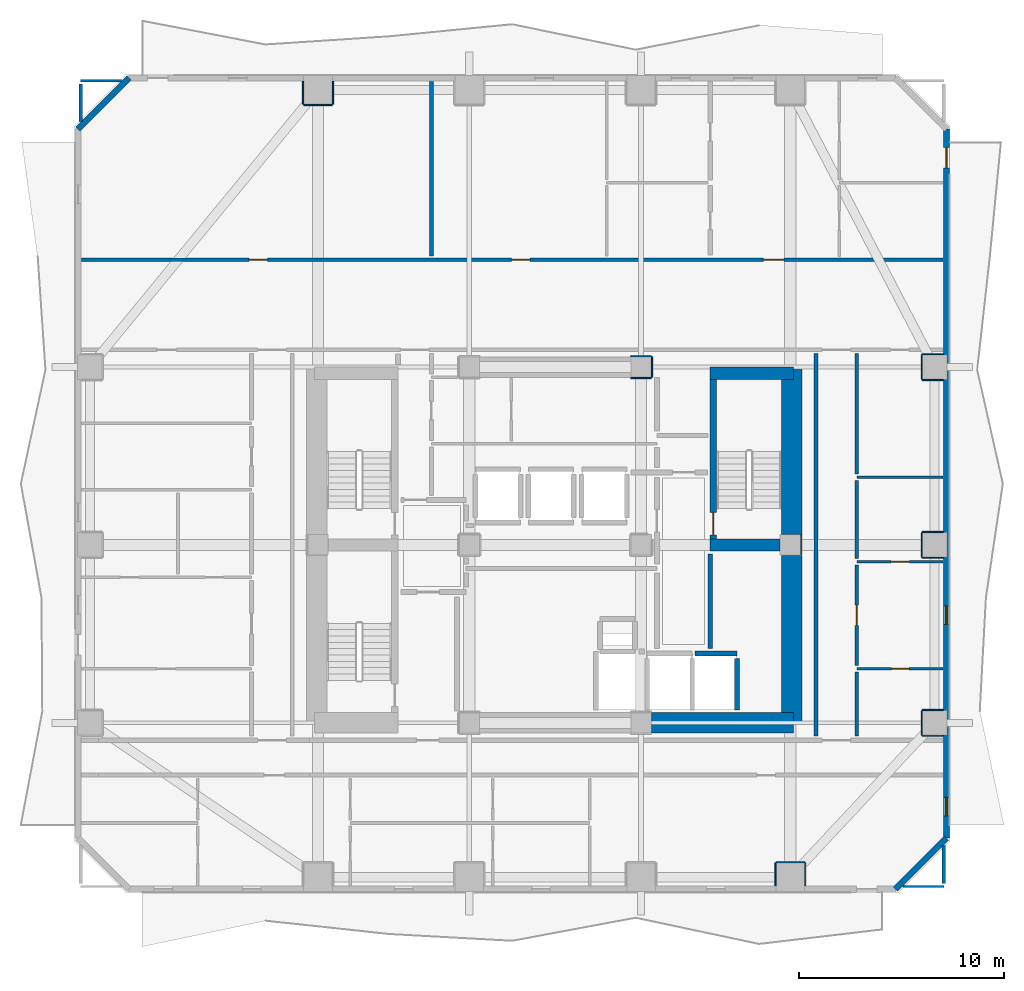
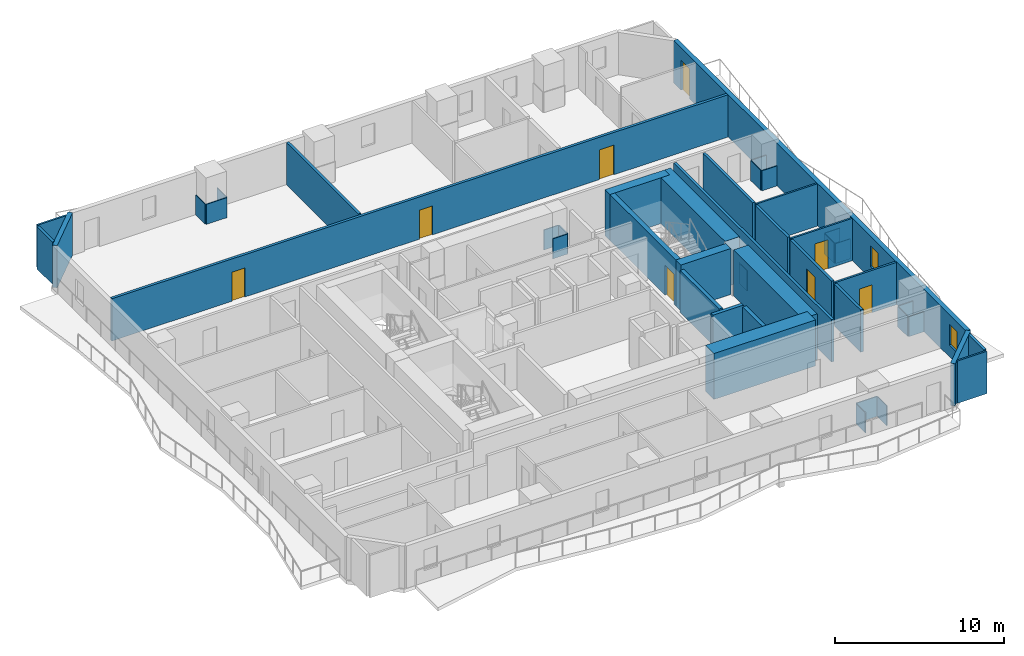
# One storey, part 5 of 10: 45 walls, 8 doors, 2 windows, 10 openings.
"""IFC4 building model written with IfcOpenShell, lengths in metres."""

from ifc_helpers import new_model, si_unit, direction, frame, frame_2d, origin, place, context, subcontext, project, spatial, rectangle, extrude, material, layer, layer_set, type_object, element, fill, save


model = new_model("IFC4")

# Units and contexts
model_context = context("Model", 3, precision=1e-05, world=origin(), true_north=direction((0.0, 1.0)))
body_context = subcontext(model_context, "Body", "Model", "MODEL_VIEW")
ifc_project = project(units=[si_unit("LENGTHUNIT", "METRE"), si_unit("AREAUNIT", "SQUARE_METRE"), si_unit("VOLUMEUNIT", "CUBIC_METRE"), si_unit("PLANEANGLEUNIT", "RADIAN"), si_unit("MASSUNIT", "GRAM", prefix="KILO")], contexts=[model_context])

# Site, building, storey
site_placement = place(None, origin())
site = spatial("IfcSite", under=ifc_project, at=site_placement, CompositionType="ELEMENT")
building_placement = place(site_placement, origin())
building = spatial("IfcBuilding", under=site, at=building_placement, Name="Solanera Arch Residences", CompositionType="ELEMENT")
storey_placement = place(building_placement, frame((0.0, 0.0, 99.43994140625)))
storey = spatial("IfcBuildingStorey", under=building, at=storey_placement, Name="L28", CompositionType="ELEMENT", Elevation=99.43994140625)

# Walls
ifc_material_1 = material(Name="Fire-Rated Gypsum Stud Partition", Category="gypsum")
ifc_layer_1 = layer(ifc_material_1, 0.06005859375)
ifc_layer_set_1 = layer_set([ifc_layer_1], Name="Fire-Rated Gypsum Stud Partition")
wall_type_1 = type_object("IfcWallType", Name="Column Acoustic Furring Wall 60", PredefinedType="PARTITIONING", material=ifc_layer_set_1)
for number, where, z_axis, x_axis, name in (
    (1, (28.699951171875, 38.867919921875, 0.0), (0.0, 0.0, 1.0), (1.0, 0.0, 0.0), "L28 Column Furring 4S"),
    (2, (28.699951171875, 39.931884765625, 0.0), (0.0, 0.0, 1.0), (1.0, 0.0, 0.0), "L28 Column Furring 4N"),
    (3, (29.73193359375, 38.89990234375, 0.0), (0.0, 0.0, 1.0), (0.0, 1.0, 0.0), "L28 Column Furring 4E"),
):
    element("IfcWall", number, at=place(storey_placement, frame(where, z_axis=z_axis, x_axis=x_axis)), inside=storey, type_object=wall_type_1, Name=name, PredefinedType="PARTITIONING", context=body_context, shape_type="SweptSolid", body=[
        extrude(rectangle(XDim=1.0, YDim=0.06005859375, at=frame_2d((0.5, 0.0))), origin(), (0.0, 0.0, 1.0), 1.449951171875),
    ])
wall_1_placement = place(storey_placement, frame((37.031982421875, 30.2099609375, 0.0), z_axis=(0.0, 0.0, 1.0), x_axis=(0.0, 1.0, 0.0)))
element("IfcWall", 4, at=wall_1_placement, inside=storey, type_object=wall_type_1, Name="L28 Column Furring 6E", PredefinedType="PARTITIONING", context=body_context, shape_type="SweptSolid", body=[
    extrude(rectangle(XDim=0.97998046875, YDim=0.06005859375, at=frame_2d((0.489990234375, 0.0))), origin(), (0.0, 0.0, 1.0), 1.449951171875),
])
wall_2_placement = place(storey_placement, frame((12.699951171875, 52.218017578125, 0.0), z_axis=(0.0, 0.0, 1.0), x_axis=(1.0, 0.0, 0.0)))
element("IfcWall", 5, at=wall_2_placement, inside=storey, type_object=wall_type_1, Name="L28 Column Furring 10S", PredefinedType="PARTITIONING", context=body_context, shape_type="SweptSolid", body=[
    extrude(rectangle(XDim=1.400146484375, YDim=0.06005859375, at=frame_2d((0.7001953125, 0.0))), origin(), (0.0, 0.0, 1.0), 1.449951171875),
])
for number, where, z_axis, x_axis, name in (
    (6, (12.66796875, 52.25, 0.0), (0.0, 0.0, 1.0), (0.0, 1.0, 0.0), "L28 Column Furring 10W"),
    (7, (14.132080078125, 52.25, 0.0), (0.0, 0.0, 1.0), (0.0, 1.0, 0.0), "L28 Column Furring 10E"),
):
    element("IfcWall", number, at=place(storey_placement, frame(where, z_axis=z_axis, x_axis=x_axis)), inside=storey, type_object=wall_type_1, Name=name, PredefinedType="PARTITIONING", context=body_context, shape_type="SweptSolid", body=[
        extrude(rectangle(XDim=1.1201171875, YDim=0.06005859375, at=frame_2d((0.56005859375, 0.0))), origin(), (0.0, 0.0, 1.0), 1.449951171875),
    ])
wall_3_placement = place(storey_placement, frame((35.800048828125, 15.181884765625, 0.0), z_axis=(0.0, 0.0, 1.0), x_axis=(1.0, 0.0, 0.0)))
element("IfcWall", 8, at=wall_3_placement, inside=storey, type_object=wall_type_1, Name="L28 Column Furring 15N", PredefinedType="PARTITIONING", context=body_context, shape_type="SweptSolid", body=[
    extrude(rectangle(XDim=1.39990234375, YDim=0.06005859375, at=frame_2d((0.699951171875, 0.0))), origin(), (0.0, 0.0, 1.0), 1.449951171875),
])
for number, where, z_axis, x_axis, name in (
    (9, (35.76806640625, 14.030029296875, 0.0), (0.0, 0.0, 1.0), (0.0, 1.0, 0.0), "L28 Column Furring 15W"),
    (10, (37.23193359375, 14.030029296875, 0.0), (0.0, 0.0, 1.0), (0.0, 1.0, 0.0), "L28 Column Furring 15E"),
):
    element("IfcWall", number, at=place(storey_placement, frame(where, z_axis=z_axis, x_axis=x_axis)), inside=storey, type_object=wall_type_1, Name=name, PredefinedType="PARTITIONING", context=body_context, shape_type="SweptSolid", body=[
        extrude(rectangle(XDim=1.119873046875, YDim=0.06005859375, at=frame_2d((0.56005859375, 0.0))), origin(), (0.0, 0.0, 1.0), 1.449951171875),
    ])
for number, where, z_axis, x_axis, name in (
    (11, (42.949951171875, 21.367919921875, 0.0), (0.0, 0.0, 1.0), (1.0, 0.0, 0.0), "L28 Column Furring 18S"),
    (12, (42.949951171875, 22.632080078125, 0.0), (0.0, 0.0, 1.0), (1.0, 0.0, 0.0), "L28 Column Furring 18N"),
):
    element("IfcWall", number, at=place(storey_placement, frame(where, z_axis=z_axis, x_axis=x_axis)), inside=storey, type_object=wall_type_1, Name=name, PredefinedType="PARTITIONING", context=body_context, shape_type="SweptSolid", body=[
        extrude(rectangle(XDim=1.02001953125, YDim=0.06005859375, at=frame_2d((0.510009765625, 0.0))), origin(), (0.0, 0.0, 1.0), 1.449951171875),
    ])
wall_4_placement = place(storey_placement, frame((42.91796875, 21.39990234375, 0.0), z_axis=(0.0, 0.0, 1.0), x_axis=(0.0, 1.0, 0.0)))
element("IfcWall", 13, at=wall_4_placement, inside=storey, type_object=wall_type_1, Name="L28 Column Furring 18W", PredefinedType="PARTITIONING", context=body_context, shape_type="SweptSolid", body=[
    extrude(rectangle(XDim=1.2001953125, YDim=0.06005859375, at=frame_2d((0.60009765625, 0.0))), origin(), (0.0, 0.0, 1.0), 1.449951171875),
])
for number, where, z_axis, x_axis, name in (
    (14, (42.949951171875, 30.068115234375, 0.0), (0.0, 0.0, 1.0), (1.0, 0.0, 0.0), "L28 Column Furring 20S"),
    (15, (42.949951171875, 31.33203125, 0.0), (0.0, 0.0, 1.0), (1.0, 0.0, 0.0), "L28 Column Furring 20N"),
):
    element("IfcWall", number, at=place(storey_placement, frame(where, z_axis=z_axis, x_axis=x_axis)), inside=storey, type_object=wall_type_1, Name=name, PredefinedType="PARTITIONING", context=body_context, shape_type="SweptSolid", body=[
        extrude(rectangle(XDim=1.02001953125, YDim=0.06005859375, at=frame_2d((0.510009765625, 0.0))), origin(), (0.0, 0.0, 1.0), 1.449951171875),
    ])
wall_5_placement = place(storey_placement, frame((42.91796875, 30.10009765625, 0.0), z_axis=(0.0, 0.0, 1.0), x_axis=(0.0, 1.0, 0.0)))
element("IfcWall", 16, at=wall_5_placement, inside=storey, type_object=wall_type_1, Name="L28 Column Furring 20W", PredefinedType="PARTITIONING", context=body_context, shape_type="SweptSolid", body=[
    extrude(rectangle(XDim=1.199951171875, YDim=0.06005859375, at=frame_2d((0.60009765625, 0.0))), origin(), (0.0, 0.0, 1.0), 1.449951171875),
])
for number, where, z_axis, x_axis, name in (
    (17, (42.949951171875, 38.76806640625, 0.0), (0.0, 0.0, 1.0), (1.0, 0.0, 0.0), "L28 Column Furring 22S"),
    (18, (42.949951171875, 40.031982421875, 0.0), (0.0, 0.0, 1.0), (1.0, 0.0, 0.0), "L28 Column Furring 22N"),
):
    element("IfcWall", number, at=place(storey_placement, frame(where, z_axis=z_axis, x_axis=x_axis)), inside=storey, type_object=wall_type_1, Name=name, PredefinedType="PARTITIONING", context=body_context, shape_type="SweptSolid", body=[
        extrude(rectangle(XDim=1.02001953125, YDim=0.06005859375, at=frame_2d((0.510009765625, 0.0))), origin(), (0.0, 0.0, 1.0), 1.449951171875),
    ])
wall_6_placement = place(storey_placement, frame((42.91796875, 38.800048828125, 0.0), z_axis=(0.0, 0.0, 1.0), x_axis=(0.0, 1.0, 0.0)))
element("IfcWall", 19, at=wall_6_placement, inside=storey, type_object=wall_type_1, Name="L28 Column Furring 22W", PredefinedType="PARTITIONING", context=body_context, shape_type="SweptSolid", body=[
    extrude(rectangle(XDim=1.199951171875, YDim=0.06005859375, at=frame_2d((0.60009765625, 0.0))), origin(), (0.0, 0.0, 1.0), 1.449951171875),
])
ifc_material_2 = material(Name="Concrete C55/67 (f'c = 60 MPa)", Category="concrete")
ifc_layer_2 = layer(ifc_material_2, 1.0)
ifc_layer_set_2 = layer_set([ifc_layer_2], Name="Concrete C55/67 (f'c = 60 MPa)")
wall_type_2 = type_object("IfcWallType", Name="Core Shear Wall CW-1000", PredefinedType="SHEAR", material=ifc_layer_set_2)
wall_7_placement = place(storey_placement, frame((36.56005859375, 22.0, 0.0), z_axis=(0.0, 0.0, 1.0), x_axis=(0.0, 1.0, 0.0)))
element("IfcWall", 20, at=wall_7_placement, inside=storey, type_object=wall_type_2, Name="L28 East Core South Shear Wall", PredefinedType="SHEAR", context=body_context, shape_type="SweptSolid", body=[
    extrude(rectangle(XDim=8.195068359375, YDim=1.0, at=frame_2d((4.09765625, 0.0))), origin(), (0.0, 0.0, 1.0), 3.320068359375),
])
wall_8_placement = place(storey_placement, frame((36.56005859375, 31.205078125, 0.0), z_axis=(0.0, 0.0, 1.0), x_axis=(0.0, 1.0, 0.0)))
element("IfcWall", 21, at=wall_8_placement, inside=storey, type_object=wall_type_2, Name="L28 East Core North Shear Wall", PredefinedType="SHEAR", context=body_context, shape_type="SweptSolid", body=[
    extrude(rectangle(XDim=8.19482421875, YDim=1.0, at=frame_2d((4.097412109375, 0.0))), origin(), (0.0, 0.0, 1.0), 3.320068359375),
])
wall_9_placement = place(storey_placement, frame((29.705078125, 22.0, 0.0), z_axis=(0.0, 0.0, 1.0), x_axis=(1.0, 0.0, 0.0)))
element("IfcWall", 22, at=wall_9_placement, inside=storey, type_object=wall_type_2, Name="L28 South-East Core Shear Wall", PredefinedType="SHEAR", context=body_context, shape_type="SweptSolid", body=[
    extrude(rectangle(XDim=6.954833984375, YDim=1.0, at=frame_2d((3.4775390625, 0.0))), origin(), (0.0, 0.0, 1.0), 3.320068359375),
])

# Wall, opening, door
ifc_material_3 = material(Name="Concrete C40/50 (f'c = 45 MPa)", Category="concrete")
ifc_layer_3 = layer(ifc_material_3, 0.320068359375)
ifc_layer_set_3 = layer_set([ifc_layer_3], Name="Concrete C40/50 (f'c = 45 MPa)")
wall_type_3 = type_object("IfcWallType", Name="Core Shear Wall CW-320", PredefinedType="SHEAR", material=ifc_layer_set_3)
wall_10_placement = place(storey_placement, frame((32.739990234375, 31.0, 0.0), z_axis=(0.0, 0.0, 1.0), x_axis=(0.0, 1.0, 0.0)))
wall_10 = element("IfcWall", 23, at=wall_10_placement, inside=storey, type_object=wall_type_3, Name="L28 Stair ST-T2 West Shear Wall", PredefinedType="SHEAR", context=body_context, shape_type="SweptSolid", body=[
    extrude(rectangle(XDim=7.800048828125, YDim=0.320068359375, at=frame_2d((3.89990234375, 0.0))), origin(), (0.0, 0.0, 1.0), 3.320068359375),
])
opening_1_placement = place(wall_10_placement, frame((0.18994140625, 0.0, 0.0)))
opening_1 = element("IfcOpeningElement", 24, at=opening_1_placement, cuts=wall_10, Name="Opening DF-01", PredefinedType="OPENING", context=body_context, shape_type="SweptSolid", body=[
    extrude(rectangle(XDim=1.10009765625, YDim=2.14990234375, at=frame_2d((0.550048828125, 1.074951171875))), frame((0.0, 0.169921875, 0.0), z_axis=(0.0, -1.0, 0.0), x_axis=(1.0, 0.0, 0.0)), (0.0, 0.0, 1.0), 0.3401),
])
ifc_material_4 = material(Name="Fire-Rated Architectural Hardwood", Category="wood")
door_type_1 = type_object("IfcDoorType", Name="Stair Exit Fire Door DF-01", OperationType="NOTDEFINED", PredefinedType="DOOR", material=ifc_material_4)
door_1_placement = place(opening_1_placement, origin())
door_1 = element("IfcDoor", 25, at=door_1_placement, inside=storey, type_object=door_type_1, Name="DR-L28-STAIR-ST-T2", OperationType="SINGLE_SWING_LEFT", OverallHeight=2.14990234375, OverallWidth=1.10009765625, PredefinedType="DOOR", context=body_context, shape_type="SweptSolid", body=[
    extrude(rectangle(XDim=1.10009765625, YDim=2.14990234375, at=frame_2d((0.550048828125, 1.074951171875))), frame((0.0, 0.02490234375, 0.0), z_axis=(0.0, -1.0, 0.0), x_axis=(1.0, 0.0, 0.0)), (0.0, 0.0, 1.0), 0.050048828125),
])
fill(opening_1, door_1)

# Walls
ifc_material_5 = material(Name="Concrete C40/50 (f'c = 45 MPa)", Category="concrete")
ifc_layer_4 = layer(ifc_material_5, 0.60009765625)
ifc_layer_set_4 = layer_set([ifc_layer_4], Name="Concrete C40/50 (f'c = 45 MPa)")
wall_type_4 = type_object("IfcWallType", Name="Core Shear Wall CW-600", PredefinedType="SHEAR", material=ifc_layer_set_4)
wall_11_placement = place(storey_placement, frame((32.580078125, 39.10009765625, 0.0), z_axis=(0.0, 0.0, 1.0), x_axis=(1.0, 0.0, 0.0)))
element("IfcWall", 26, at=wall_11_placement, inside=storey, type_object=wall_type_4, Name="L28 North-East Core Shear Wall", PredefinedType="SHEAR", context=body_context, shape_type="SweptSolid", body=[
    extrude(rectangle(XDim=4.079833984375, YDim=0.60009765625, at=frame_2d((2.0400390625, 0.0))), origin(), (0.0, 0.0, 1.0), 3.320068359375),
])
wall_12_placement = place(storey_placement, frame((32.580078125, 30.699951171875, 0.0), z_axis=(0.0, 0.0, 1.0), x_axis=(1.0, 0.0, 0.0)))
element("IfcWall", 27, at=wall_12_placement, inside=storey, type_object=wall_type_4, Name="L28 East Stair Far-Landing Shear Wall", PredefinedType="SHEAR", context=body_context, shape_type="SweptSolid", body=[
    extrude(rectangle(XDim=3.4150390625, YDim=0.60009765625, at=frame_2d((1.70751953125, 0.0))), origin(), (0.0, 0.0, 1.0), 3.320068359375),
])

# Wall, openings, doors
ifc_material_6 = material(Name="Autoclaved Aerated Concrete Blockwork", Category="masonry")
ifc_layer_5 = layer(ifc_material_6, 0.179931640625)
ifc_layer_set_5 = layer_set([ifc_layer_5], Name="Autoclaved Aerated Concrete Blockwork")
wall_type_5 = type_object("IfcWallType", Name="Corridor Fire Partition 180", PredefinedType="PARTITIONING", material=ifc_layer_set_5)
wall_13_placement = place(storey_placement, frame((1.826904296875, 44.64990234375, 0.0), z_axis=(0.0, 0.0, 1.0), x_axis=(1.0, 0.0, 0.0)))
wall_13 = element("IfcWall", 28, at=wall_13_placement, inside=storey, type_object=wall_type_5, Name="L28 Interior Partition H11", PredefinedType="PARTITIONING", context=body_context, shape_type="SweptSolid", body=[
    extrude(rectangle(XDim=42.14599609375, YDim=0.179931640625, at=frame_2d((21.072998046875, 0.0))), origin(), (0.0, 0.0, 1.0), 3.06005859375),
])
opening_2_placement = place(wall_13_placement, frame((8.20703125, 0.0, 0.0)))
opening_2 = element("IfcOpeningElement", 29, at=opening_2_placement, cuts=wall_13, Name="Opening DI-02", PredefinedType="OPENING", context=body_context, shape_type="SweptSolid", body=[
    extrude(rectangle(XDim=0.89990234375, YDim=2.10009765625, at=frame_2d((0.449951171875, 1.050048828125))), frame((0.0, 0.10009765625, 0.0), z_axis=(0.0, -1.0, 0.0), x_axis=(1.0, 0.0, 0.0)), (0.0, 0.0, 1.0), 0.1999),
])
opening_3_placement = place(wall_13_placement, frame((21.04296875, 0.0, 0.0)))
opening_3 = element("IfcOpeningElement", 30, at=opening_3_placement, cuts=wall_13, Name="Opening DI-02", PredefinedType="OPENING", context=body_context, shape_type="SweptSolid", body=[
    extrude(rectangle(XDim=0.89990234375, YDim=2.10009765625, at=frame_2d((0.449951171875, 1.050048828125))), frame((0.0, 0.10009765625, 0.0), z_axis=(0.0, -1.0, 0.0), x_axis=(1.0, 0.0, 0.0)), (0.0, 0.0, 1.0), 0.1999),
])
opening_4_placement = place(wall_13_placement, frame((33.35107421875, 0.0, 0.0)))
opening_4 = element("IfcOpeningElement", 31, at=opening_4_placement, cuts=wall_13, Name="Opening DI-01", PredefinedType="OPENING", context=body_context, shape_type="SweptSolid", body=[
    extrude(rectangle(XDim=1.0, YDim=2.14990234375, at=frame_2d((0.5, 1.074951171875))), frame((0.0, 0.10009765625, 0.0), z_axis=(0.0, -1.0, 0.0), x_axis=(1.0, 0.0, 0.0)), (0.0, 0.0, 1.0), 0.1999),
])
ifc_material_7 = material(Name="Fire-Rated Architectural Hardwood", Category="wood")
door_type_2 = type_object("IfcDoorType", Name="Suite Room Swing Door DI-02", OperationType="NOTDEFINED", PredefinedType="DOOR", material=ifc_material_7)
door_2_placement = place(opening_2_placement, origin())
door_2 = element("IfcDoor", 32, at=door_2_placement, inside=storey, type_object=door_type_2, Name="DR-L28-IN-024", OperationType="SINGLE_SWING_LEFT", OverallHeight=2.10009765625, OverallWidth=0.89990234375, PredefinedType="DOOR", context=body_context, shape_type="SweptSolid", body=[
    extrude(rectangle(XDim=0.89990234375, YDim=2.10009765625, at=frame_2d((0.449951171875, 1.050048828125))), frame((0.0, 0.02490234375, 0.0), z_axis=(0.0, -1.0, 0.0), x_axis=(1.0, 0.0, 0.0)), (0.0, 0.0, 1.0), 0.050048828125),
])
fill(opening_2, door_2)
door_3_placement = place(opening_3_placement, origin())
door_3 = element("IfcDoor", 33, at=door_3_placement, inside=storey, type_object=door_type_2, Name="DR-L28-IN-025", OperationType="SINGLE_SWING_RIGHT", OverallHeight=2.10009765625, OverallWidth=0.89990234375, PredefinedType="DOOR", context=body_context, shape_type="SweptSolid", body=[
    extrude(rectangle(XDim=0.89990234375, YDim=2.10009765625, at=frame_2d((0.449951171875, 1.050048828125))), frame((0.0, 0.02490234375, 0.0), z_axis=(0.0, -1.0, 0.0), x_axis=(1.0, 0.0, 0.0)), (0.0, 0.0, 1.0), 0.050048828125),
])
fill(opening_3, door_3)
ifc_material_8 = material(Name="Fire-Rated Architectural Hardwood", Category="wood")
door_type_3 = type_object("IfcDoorType", Name="Unit Entrance Fire Door DI-01", OperationType="NOTDEFINED", PredefinedType="DOOR", material=ifc_material_8)
door_4_placement = place(opening_4_placement, origin())
door_4 = element("IfcDoor", 34, at=door_4_placement, inside=storey, type_object=door_type_3, Name="DR-L28-IN-026", OperationType="SINGLE_SWING_LEFT", OverallHeight=2.14990234375, OverallWidth=1.0, PredefinedType="DOOR", context=body_context, shape_type="SweptSolid", body=[
    extrude(rectangle(XDim=1.0, YDim=2.14990234375, at=frame_2d((0.5, 1.074951171875))), frame((0.0, 0.02490234375, 0.0), z_axis=(0.0, -1.0, 0.0), x_axis=(1.0, 0.0, 0.0)), (0.0, 0.0, 1.0), 0.050048828125),
])
fill(opening_4, door_4)

# Walls
wall_14_placement = place(storey_placement, frame((1.800048828125, 51.39892578125, 0.0), z_axis=(0.0, 0.0, 1.0), x_axis=(0.0, 1.0, 0.0)))
element("IfcWall", 35, at=wall_14_placement, inside=storey, type_object=wall_type_5, Name="L28 Interior Partition V7 2", PredefinedType="PARTITIONING", context=body_context, shape_type="SweptSolid", body=[
    extrude(rectangle(XDim=1.843017578125, YDim=0.179931640625, at=frame_2d((0.92138671875, 0.0))), origin(), (0.0, 0.0, 1.0), 3.06005859375),
])
wall_15_placement = place(storey_placement, frame((18.949951171875, 44.837890625, 0.0), z_axis=(0.0, 0.0, 1.0), x_axis=(0.0, 1.0, 0.0)))
element("IfcWall", 36, at=wall_15_placement, inside=storey, type_object=wall_type_5, Name="L28 Interior Partition V11", PredefinedType="PARTITIONING", context=body_context, shape_type="SweptSolid", body=[
    extrude(rectangle(XDim=8.53515625, YDim=0.179931640625, at=frame_2d((4.267578125, 0.0))), origin(), (0.0, 0.0, 1.0), 3.06005859375),
])
wall_16_placement = place(storey_placement, frame((37.75, 21.367919921875, 0.0), z_axis=(0.0, 0.0, 1.0), x_axis=(0.0, 1.0, 0.0)))
element("IfcWall", 37, at=wall_16_placement, inside=storey, type_object=wall_type_5, Name="L28 Interior Partition V13", PredefinedType="PARTITIONING", context=body_context, shape_type="SweptSolid", body=[
    extrude(rectangle(XDim=18.694091796875, YDim=0.179931640625, at=frame_2d((9.34716796875, 0.0))), origin(), (0.0, 0.0, 1.0), 3.06005859375),
])
wall_17_placement = place(storey_placement, frame((39.75, 21.367919921875, 0.0), z_axis=(0.0, 0.0, 1.0), x_axis=(0.0, 1.0, 0.0)))
element("IfcWall", 38, at=wall_17_placement, inside=storey, type_object=wall_type_5, Name="L28 Interior Partition V14 1", PredefinedType="PARTITIONING", context=body_context, shape_type="SweptSolid", body=[
    extrude(rectangle(XDim=3.109130859375, YDim=0.179931640625, at=frame_2d((1.5546875, 0.0))), origin(), (0.0, 0.0, 1.0), 3.06005859375),
])

# Wall, opening, door
wall_18_placement = place(storey_placement, frame((39.75, 24.81298828125, 0.0), z_axis=(0.0, 0.0, 1.0), x_axis=(0.0, 1.0, 0.0)))
wall_18 = element("IfcWall", 39, at=wall_18_placement, inside=storey, type_object=wall_type_5, Name="L28 Interior Partition V14 2", PredefinedType="PARTITIONING", context=body_context, shape_type="SweptSolid", body=[
    extrude(rectangle(XDim=4.908935546875, YDim=0.179931640625, at=frame_2d((2.45458984375, 0.0))), origin(), (0.0, 0.0, 1.0), 3.06005859375),
])
opening_5_placement = place(wall_18_placement, frame((1.949951171875, 0.0, 0.0)))
opening_5 = element("IfcOpeningElement", 40, at=opening_5_placement, cuts=wall_18, Name="Opening DI-01", PredefinedType="OPENING", context=body_context, shape_type="SweptSolid", body=[
    extrude(rectangle(XDim=1.0, YDim=2.14990234375, at=frame_2d((0.5, 1.074951171875))), frame((0.0, 0.10009765625, 0.0), z_axis=(0.0, -1.0, 0.0), x_axis=(1.0, 0.0, 0.0)), (0.0, 0.0, 1.0), 0.1999),
])
door_5_placement = place(opening_5_placement, origin())
door_5 = element("IfcDoor", 41, at=door_5_placement, inside=storey, type_object=door_type_3, Name="DR-L28-IN-037", OperationType="SINGLE_SWING_RIGHT", OverallHeight=2.14990234375, OverallWidth=1.0, PredefinedType="DOOR", context=body_context, shape_type="SweptSolid", body=[
    extrude(rectangle(XDim=1.0, YDim=2.14990234375, at=frame_2d((0.5, 1.074951171875))), frame((0.0, 0.02490234375, 0.0), z_axis=(0.0, -1.0, 0.0), x_axis=(1.0, 0.0, 0.0)), (0.0, 0.0, 1.0), 0.050048828125),
])
fill(opening_5, door_5)

# Walls
wall_19_placement = place(storey_placement, frame((39.75, 30.0380859375, 0.0), z_axis=(0.0, 0.0, 1.0), x_axis=(0.0, 1.0, 0.0)))
element("IfcWall", 42, at=wall_19_placement, inside=storey, type_object=wall_type_5, Name="L28 Interior Partition V14 3", PredefinedType="PARTITIONING", context=body_context, shape_type="SweptSolid", body=[
    extrude(rectangle(XDim=3.803955078125, YDim=0.179931640625, at=frame_2d((1.90185546875, 0.0))), origin(), (0.0, 0.0, 1.0), 3.06005859375),
])
wall_20_placement = place(storey_placement, frame((39.75, 34.157958984375, 0.0), z_axis=(0.0, 0.0, 1.0), x_axis=(0.0, 1.0, 0.0)))
element("IfcWall", 43, at=wall_20_placement, inside=storey, type_object=wall_type_5, Name="L28 Interior Partition V14 4", PredefinedType="PARTITIONING", context=body_context, shape_type="SweptSolid", body=[
    extrude(rectangle(XDim=5.904052734375, YDim=0.179931640625, at=frame_2d((2.9521484375, 0.0))), origin(), (0.0, 0.0, 1.0), 3.06005859375),
])
wall_21_placement = place(storey_placement, frame((44.0, 14.157958984375, 0.0), z_axis=(0.0, 0.0, 1.0), x_axis=(0.0, 1.0, 0.0)))
element("IfcWall", 44, at=wall_21_placement, inside=storey, type_object=wall_type_5, Name="L28 Interior Partition V15 1", PredefinedType="PARTITIONING", context=body_context, shape_type="SweptSolid", body=[
    extrude(rectangle(XDim=1.843017578125, YDim=0.179931640625, at=frame_2d((0.92138671875, 0.0))), origin(), (0.0, 0.0, 1.0), 3.06005859375),
])
ifc_material_9 = material(Name="Precast Concrete C35/45", Category="concrete")
ifc_layer_6 = layer(ifc_material_9, 0.300048828125)
ifc_layer_set_6 = layer_set([ifc_layer_6], Name="Precast Concrete C35/45")
wall_type_6 = type_object("IfcWallType", Name="Exterior Wall Precast Masonry-Frame 300", PredefinedType="STANDARD", material=ifc_layer_set_6)
wall_22_placement = place(storey_placement, frame((1.6650390625, 51.034912109375, 0.0), z_axis=(0.0, 0.0, 1.0), x_axis=(0.707106781187, 0.707106781187, 0.0)))
element("IfcWall", 45, at=wall_22_placement, inside=storey, type_object=wall_type_6, Name="L28 Tower Exterior Precast Masonry-Frame Wall CH1", PredefinedType="STANDARD", context=body_context, shape_type="SweptSolid", body=[
    extrude(rectangle(XDim=3.53564453125, YDim=0.300048828125, at=frame_2d((1.767822265625, 0.0))), origin(), (0.0, 0.0, 1.0), 3.06005859375),
])

# Wall, openings, door, windows
wall_23_placement = place(storey_placement, frame((44.135009765625, 51.034912109375, 0.0), z_axis=(0.0, 0.0, 1.0), x_axis=(0.0, -1.0, 0.0)))
wall_23 = element("IfcWall", 46, at=wall_23_placement, inside=storey, type_object=wall_type_6, Name="L28 Tower Exterior Precast Masonry-Frame Wall E", PredefinedType="STANDARD", context=body_context, shape_type="SweptSolid", body=[
    extrude(rectangle(XDim=34.669921875, YDim=0.300048828125, at=frame_2d((17.3349609375, 0.0))), origin(), (0.0, 0.0, 1.0), 3.06005859375),
])
opening_6_placement = place(wall_23_placement, frame((0.90087890625, 0.0, 0.0)))
opening_6 = element("IfcOpeningElement", 47, at=opening_6_placement, cuts=wall_23, Name="Opening DB-01", PredefinedType="OPENING", context=body_context, shape_type="SweptSolid", body=[
    extrude(rectangle(XDim=1.0, YDim=2.14990234375, at=frame_2d((0.5, 1.074951171875))), frame((0.0, 0.159912109375, 0.0), z_axis=(0.0, -1.0, 0.0), x_axis=(1.0, 0.0, 0.0)), (0.0, 0.0, 1.0), 0.32),
])
opening_7_placement = place(wall_23_placement, frame((32.681884765625, 0.0, 0.85009765625)))
opening_7 = element("IfcOpeningElement", 48, at=opening_7_placement, cuts=wall_23, Name="Opening W-06", PredefinedType="OPENING", context=body_context, shape_type="SweptSolid", body=[
    extrude(rectangle(XDim=0.89990234375, YDim=1.5, at=frame_2d((0.449951171875, 0.75))), frame((0.0, 0.159912109375, 0.0), z_axis=(0.0, -1.0, 0.0), x_axis=(1.0, 0.0, 0.0)), (0.0, 0.0, 1.0), 0.32),
])
opening_8_placement = place(wall_23_placement, frame((23.322998046875, 0.0, 0.85009765625)))
opening_8 = element("IfcOpeningElement", 49, at=opening_8_placement, cuts=wall_23, Name="Opening W-06", PredefinedType="OPENING", context=body_context, shape_type="SweptSolid", body=[
    extrude(rectangle(XDim=0.89990234375, YDim=1.5, at=frame_2d((0.449951171875, 0.75))), frame((0.0, 0.159912109375, 0.0), z_axis=(0.0, -1.0, 0.0), x_axis=(1.0, 0.0, 0.0)), (0.0, 0.0, 1.0), 0.32),
])
ifc_material_10 = material(Name="Anodised Aluminium Alloy 6063-T6", Category="aluminium")
door_type_4 = type_object("IfcDoorType", Name="Glazed Balcony Swing Door DB-01", OperationType="NOTDEFINED", PredefinedType="DOOR", material=ifc_material_10)
door_6_placement = place(opening_6_placement, origin())
door_6 = element("IfcDoor", 50, at=door_6_placement, inside=storey, type_object=door_type_4, Name="DR-L28-OUT-03", OperationType="SINGLE_SWING_RIGHT", OverallHeight=2.14990234375, OverallWidth=1.0, PredefinedType="DOOR", context=body_context, shape_type="SweptSolid", body=[
    extrude(rectangle(XDim=1.0, YDim=2.14990234375, at=frame_2d((0.5, 1.074951171875))), frame((0.0, 0.02490234375, 0.0), z_axis=(0.0, -1.0, 0.0), x_axis=(1.0, 0.0, 0.0)), (0.0, 0.0, 1.0), 0.050048828125),
])
fill(opening_6, door_6)
ifc_material_11 = material(Name="Double Glazed Low-E Laminated Glass", Category="glass")
window_type = type_object("IfcWindowType", Name="Punched Window W-06", PartitioningType="SINGLE_PANEL", PredefinedType="WINDOW", material=ifc_material_11)
window_1_placement = place(opening_7_placement, origin())
window_1 = element("IfcWindow", 51, at=window_1_placement, inside=storey, type_object=window_type, Name="L28 AMN-LNG Punched Window", OverallHeight=1.5, OverallWidth=0.89990234375, PartitioningType="SINGLE_PANEL", PredefinedType="WINDOW", context=body_context, shape_type="SweptSolid", body=[
    extrude(rectangle(XDim=0.89990234375, YDim=1.5, at=frame_2d((0.449951171875, 0.75))), frame((0.0, 0.030029296875, 0.0), z_axis=(0.0, -1.0, 0.0), x_axis=(1.0, 0.0, 0.0)), (0.0, 0.0, 1.0), 0.06005859375),
])
fill(opening_7, window_1)
window_2_placement = place(opening_8_placement, origin())
window_2 = element("IfcWindow", 52, at=window_2_placement, inside=storey, type_object=window_type, Name="L28 2804-LIV Punched Window", OverallHeight=1.5, OverallWidth=0.89990234375, PartitioningType="SINGLE_PANEL", PredefinedType="WINDOW", context=body_context, shape_type="SweptSolid", body=[
    extrude(rectangle(XDim=0.89990234375, YDim=1.5, at=frame_2d((0.449951171875, 0.75))), frame((0.0, 0.030029296875, 0.0), z_axis=(0.0, -1.0, 0.0), x_axis=(1.0, 0.0, 0.0)), (0.0, 0.0, 1.0), 0.06005859375),
])
fill(opening_8, window_2)

# Walls
wall_24_placement = place(storey_placement, frame((44.135009765625, 16.364990234375, 0.0), z_axis=(0.0, 0.0, 1.0), x_axis=(-0.707106781187, -0.707106781187, 0.0)))
element("IfcWall", 53, at=wall_24_placement, inside=storey, type_object=wall_type_6, Name="L28 Tower Exterior Precast Masonry-Frame Wall CH5", PredefinedType="STANDARD", context=body_context, shape_type="SweptSolid", body=[
    extrude(rectangle(XDim=3.53564453125, YDim=0.300048828125, at=frame_2d((1.767822265625, 0.0))), origin(), (0.0, 0.0, 1.0), 3.06005859375),
])
ifc_material_12 = material(Name="Autoclaved Aerated Concrete Blockwork", Category="masonry")
ifc_layer_7 = layer(ifc_material_12, 0.239990234375)
ifc_layer_set_7 = layer_set([ifc_layer_7], Name="Autoclaved Aerated Concrete Blockwork")
wall_type_7 = type_object("IfcWallType", Name="Shaft Wall Fire-Rated 240", PredefinedType="PARTITIONING", material=ifc_layer_set_7)
wall_25_placement = place(storey_placement, frame((31.827880859375, 25.39990234375, 0.0), z_axis=(0.0, 0.0, 1.0), x_axis=(1.0, 0.0, 0.0)))
element("IfcWall", 54, at=wall_25_placement, inside=storey, type_object=wall_type_7, Name="L28 Lift FFL-2 Hoistway Wall N", PredefinedType="PARTITIONING", context=body_context, shape_type="SweptSolid", body=[
    extrude(rectangle(XDim=2.072021484375, YDim=0.239990234375, at=frame_2d((1.0361328125, 0.0))), origin(), (0.0, 0.0, 1.0), 3.06005859375),
])
wall_26_placement = place(storey_placement, frame((33.89990234375, 22.6298828125, 0.0), z_axis=(0.0, 0.0, 1.0), x_axis=(0.0, 1.0, 0.0)))
element("IfcWall", 55, at=wall_26_placement, inside=storey, type_object=wall_type_7, Name="L28 Lift FFL-2 Hoistway Wall E", PredefinedType="PARTITIONING", context=body_context, shape_type="SweptSolid", body=[
    extrude(rectangle(XDim=2.522216796875, YDim=0.239990234375, at=frame_2d((1.26123046875, 0.0))), origin(), (0.0, 0.0, 1.0), 3.06005859375),
])
wall_27_placement = place(storey_placement, frame((32.580078125, 25.64794921875, 0.0), z_axis=(0.0, 0.0, 1.0), x_axis=(0.0, 1.0, 0.0)))
element("IfcWall", 56, at=wall_27_placement, inside=storey, type_object=wall_type_7, Name="L28 Interior Partition V5", PredefinedType="PARTITIONING", context=body_context, shape_type="SweptSolid", body=[
    extrude(rectangle(XDim=4.6220703125, YDim=0.239990234375, at=frame_2d((2.31103515625, 0.0))), origin(), (0.0, 0.0, 1.0), 3.06005859375),
])
ifc_material_13 = material(Name="Fire-Rated Gypsum Stud Partition", Category="gypsum")
ifc_layer_8 = layer(ifc_material_13, 0.1201171875)
ifc_layer_set_8 = layer_set([ifc_layer_8], Name="Fire-Rated Gypsum Stud Partition")
wall_type_8 = type_object("IfcWallType", Name="Unit Drywall Partition 120", PredefinedType="PARTITIONING", material=ifc_layer_set_8)
wall_28_placement = place(storey_placement, frame((41.9990234375, 14.0, 0.0), z_axis=(0.0, 0.0, 1.0), x_axis=(1.0, 0.0, 0.0)))
element("IfcWall", 57, at=wall_28_placement, inside=storey, type_object=wall_type_8, Name="L28 Interior Partition H21 2", PredefinedType="PARTITIONING", context=body_context, shape_type="SweptSolid", body=[
    extrude(rectangle(XDim=2.0009765625, YDim=0.1201171875, at=frame_2d((1.00048828125, 0.0))), origin(), (0.0, 0.0, 1.0), 3.06005859375),
])

# Wall, opening, door
wall_29_placement = place(storey_placement, frame((39.75, 29.8798828125, 0.0), z_axis=(0.0, 0.0, 1.0), x_axis=(1.0, 0.0, 0.0)))
wall_29 = element("IfcWall", 58, at=wall_29_placement, inside=storey, type_object=wall_type_8, Name="L28 Interior Partition H22", PredefinedType="PARTITIONING", context=body_context, shape_type="SweptSolid", body=[
    extrude(rectangle(XDim=4.222900390625, YDim=0.1201171875, at=frame_2d((2.111328125, 0.0))), origin(), (0.0, 0.0, 1.0), 3.06005859375),
])
opening_9_placement = place(wall_29_placement, frame((1.675048828125, 0.0, 0.0)))
opening_9 = element("IfcOpeningElement", 59, at=opening_9_placement, cuts=wall_29, Name="Opening DI-02", PredefinedType="OPENING", context=body_context, shape_type="SweptSolid", body=[
    extrude(rectangle(XDim=0.89990234375, YDim=2.10009765625, at=frame_2d((0.449951171875, 1.050048828125))), frame((0.0, 0.070068359375, 0.0), z_axis=(0.0, -1.0, 0.0), x_axis=(1.0, 0.0, 0.0)), (0.0, 0.0, 1.0), 0.1401),
])
door_7_placement = place(opening_9_placement, origin())
door_7 = element("IfcDoor", 60, at=door_7_placement, inside=storey, type_object=door_type_2, Name="DR-L28-IN-039", OperationType="SINGLE_SWING_RIGHT", OverallHeight=2.10009765625, OverallWidth=0.89990234375, PredefinedType="DOOR", context=body_context, shape_type="SweptSolid", body=[
    extrude(rectangle(XDim=0.89990234375, YDim=2.10009765625, at=frame_2d((0.449951171875, 1.050048828125))), frame((0.0, 0.02490234375, 0.0), z_axis=(0.0, -1.0, 0.0), x_axis=(1.0, 0.0, 0.0)), (0.0, 0.0, 1.0), 0.050048828125),
])
fill(opening_9, door_7)

# Walls
wall_30_placement = place(storey_placement, frame((39.75, 34.0, 0.0), z_axis=(0.0, 0.0, 1.0), x_axis=(1.0, 0.0, 0.0)))
element("IfcWall", 61, at=wall_30_placement, inside=storey, type_object=wall_type_8, Name="L28 Interior Partition H23", PredefinedType="PARTITIONING", context=body_context, shape_type="SweptSolid", body=[
    extrude(rectangle(XDim=4.222900390625, YDim=0.1201171875, at=frame_2d((2.111328125, 0.0))), origin(), (0.0, 0.0, 1.0), 3.06005859375),
])
wall_31_placement = place(storey_placement, frame((1.800048828125, 53.39990234375, 0.0), z_axis=(0.0, 0.0, 1.0), x_axis=(1.0, 0.0, 0.0)))
element("IfcWall", 62, at=wall_31_placement, inside=storey, type_object=wall_type_8, Name="L28 Interior Partition H26 1", PredefinedType="PARTITIONING", context=body_context, shape_type="SweptSolid", body=[
    extrude(rectangle(XDim=2.0009765625, YDim=0.1201171875, at=frame_2d((1.00048828125, 0.0))), origin(), (0.0, 0.0, 1.0), 3.06005859375),
])

# Wall, opening, door
ifc_material_14 = material(Name="Autoclaved Aerated Concrete Blockwork", Category="masonry")
ifc_layer_9 = layer(ifc_material_14, 0.139892578125)
ifc_layer_set_9 = layer_set([ifc_layer_9], Name="Autoclaved Aerated Concrete Blockwork")
wall_type_9 = type_object("IfcWallType", Name="Wet-Room Partition 140", PredefinedType="PARTITIONING", material=ifc_layer_set_9)
wall_32_placement = place(storey_placement, frame((39.75, 24.64501953125, 0.0), z_axis=(0.0, 0.0, 1.0), x_axis=(1.0, 0.0, 0.0)))
wall_32 = element("IfcWall", 63, at=wall_32_placement, inside=storey, type_object=wall_type_9, Name="L28 Interior Partition H15", PredefinedType="PARTITIONING", context=body_context, shape_type="SweptSolid", body=[
    extrude(rectangle(XDim=4.222900390625, YDim=0.139892578125, at=frame_2d((2.111328125, 0.0))), origin(), (0.0, 0.0, 1.0), 3.06005859375),
])
opening_10_placement = place(wall_32_placement, frame((1.695068359375, 0.0, 0.0)))
opening_10 = element("IfcOpeningElement", 64, at=opening_10_placement, cuts=wall_32, Name="Opening DI-05", PredefinedType="OPENING", context=body_context, shape_type="SweptSolid", body=[
    extrude(rectangle(XDim=0.860107421875, YDim=2.02001953125, at=frame_2d((0.43017578125, 1.010009765625))), frame((0.0, 0.079833984375, 0.0), z_axis=(0.0, -1.0, 0.0), x_axis=(1.0, 0.0, 0.0)), (0.0, 0.0, 1.0), 0.1599),
])
ifc_material_15 = material(Name="Fire-Rated Architectural Hardwood", Category="wood")
door_type_5 = type_object("IfcDoorType", Name="Bathroom Swing Door DI-05", OperationType="NOTDEFINED", PredefinedType="DOOR", material=ifc_material_15)
door_8_placement = place(opening_10_placement, origin())
door_8 = element("IfcDoor", 65, at=door_8_placement, inside=storey, type_object=door_type_5, Name="DR-L28-IN-038", OperationType="SINGLE_SWING_LEFT", OverallHeight=2.02001953125, OverallWidth=0.860107421875, PredefinedType="DOOR", context=body_context, shape_type="SweptSolid", body=[
    extrude(rectangle(XDim=0.860107421875, YDim=2.02001953125, at=frame_2d((0.43017578125, 1.010009765625))), frame((0.0, 0.02490234375, 0.0), z_axis=(0.0, -1.0, 0.0), x_axis=(1.0, 0.0, 0.0)), (0.0, 0.0, 1.0), 0.050048828125),
])
fill(opening_10, door_8)

save(model, "model.ifc")
